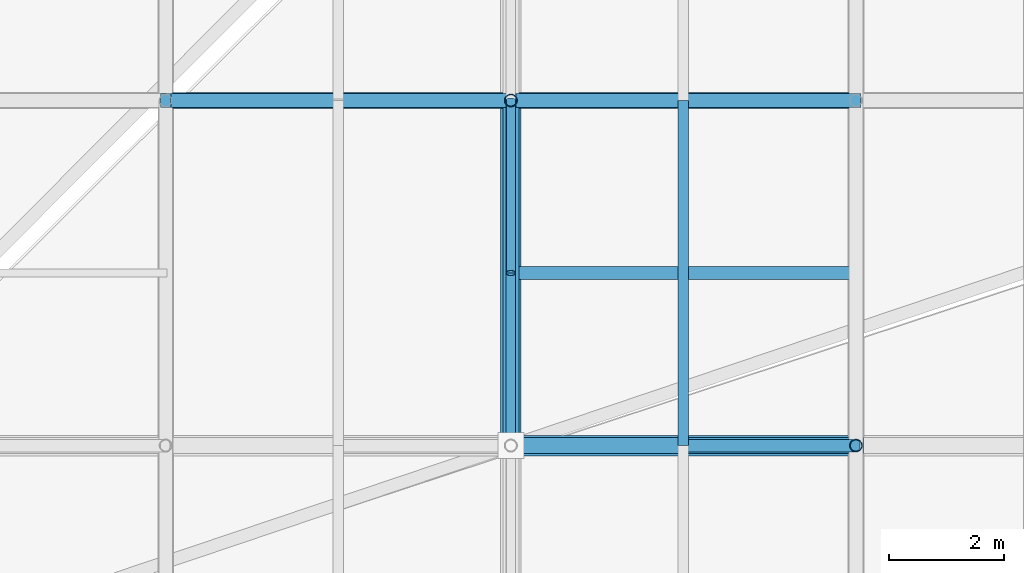
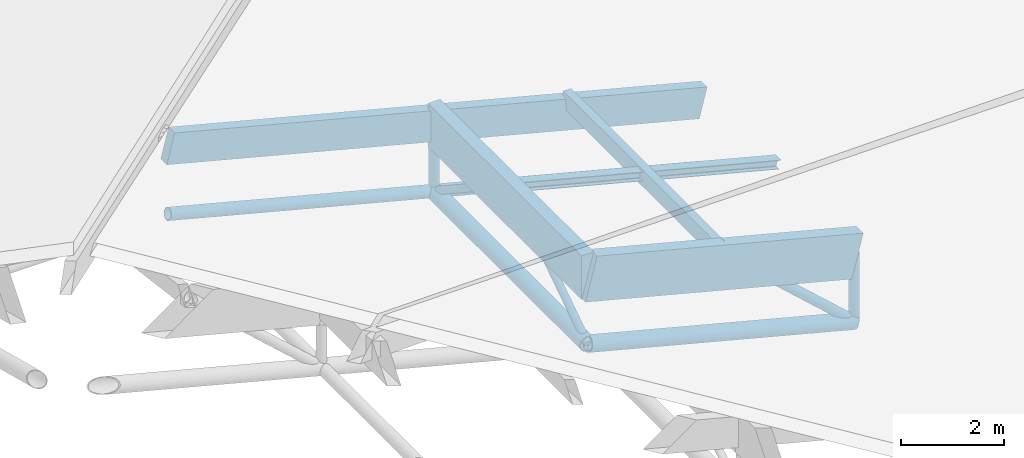
# One storey, part 41 of 80: 15 members.
"""IFC4 building model written with IfcOpenShell, lengths in metres."""

from ifc_helpers import new_model, si_unit, direction, frame, origin, origin_2d, place, context, subcontext, project, spatial, rectangle, hollow_circle, i_section, extrude, material, material_profile, profile_set, type_object, element, save


model = new_model("IFC4")

# Units and contexts
model_context = context("Model", 3, precision=1e-05, world=origin(), true_north=direction((0.0, 1.0)))
body_context = subcontext(model_context, "Body", "Model", "MODEL_VIEW")
ifc_project = project(units=[si_unit("LENGTHUNIT", "METRE"), si_unit("AREAUNIT", "SQUARE_METRE"), si_unit("VOLUMEUNIT", "CUBIC_METRE"), si_unit("PLANEANGLEUNIT", "RADIAN"), si_unit("MASSUNIT", "GRAM", prefix="KILO"), si_unit("THERMODYNAMICTEMPERATUREUNIT", "KELVIN"), si_unit("POWERUNIT", "WATT")], contexts=[model_context])

# Site, building, storey
site_placement = place(None, origin())
site = spatial("IfcSite", under=ifc_project, at=site_placement, CompositionType="ELEMENT")
building_placement = place(site_placement, origin())
building = spatial("IfcBuilding", under=site, at=building_placement, Name="Solmara Park Aquatics Centre", CompositionType="ELEMENT")
storey_placement = place(building_placement, frame((0.0, 0.0, 22.800048828125)))
storey = spatial("IfcBuildingStorey", under=building, at=storey_placement, Name="RF", CompositionType="ELEMENT", Elevation=22.800048828125)

# Members
ifc_material_1 = material(Name="Structural Steel S355", Category="steel")
ifc_material_profile_1 = material_profile(ifc_material_1, hollow_circle(Radius=0.084228515625, WallThickness=0.008056640625, at=origin_2d()), Name="CHS 168.3x8")
ifc_profile_set_1 = profile_set([ifc_material_profile_1], Name="Structural Steel S355")
member_type_1 = type_object("IfcMemberType", Name="STR-BRC-CHS168", PredefinedType="BRACE", material=ifc_profile_set_1)
for number, where, z_axis, x_axis, name in (
    (1, (84.60009765625, 48.60009765625, -8.0380859375), (0.0, 0.834611904619, 0.550838423377), (-1.0, 0.0, 0.0), "Roof Truss Web Diagonal Y 2054"),
    (2, (84.60009765625, 54.60009765625, -8.0380859375), (0.0, -0.834611904619, 0.550838423377), (1.0, 0.0, 0.0), "Roof Truss Web Diagonal Y 2055"),
):
    element("IfcMember", number, at=place(storey_placement, frame(where, z_axis=z_axis, x_axis=x_axis)), inside=storey, type_object=member_type_1, Name=name, PredefinedType="BRACE", context=body_context, shape_type="SweptSolid", body=[
        extrude(hollow_circle(Radius=0.084228515625, WallThickness=0.008056640625, at=origin_2d()), origin(), (0.0, 0.0, 1.0), 3.594482421875),
    ])
ifc_material_profile_2 = material_profile(ifc_material_1, hollow_circle(Radius=0.109619140625, WallThickness=0.010009765625, at=origin_2d()), Name="CHS 219.1x10")
ifc_profile_set_2 = profile_set([ifc_material_profile_2], Name="Structural Steel S355")
member_type_2 = type_object("IfcMemberType", Name="STR-BRC-CHS219", PredefinedType="BRACE", material=ifc_profile_set_2)
member_1_placement = place(storey_placement, frame((90.60009765625, 48.60009765625, -9.58984375), z_axis=(-0.741347083846, 0.0, 0.671121822974), x_axis=(0.0, -1.0, 0.0)))
element("IfcMember", 3, at=member_1_placement, inside=storey, type_object=member_type_2, Name="Roof Truss Web Diagonal X 1759", PredefinedType="BRACE", context=body_context, shape_type="SweptSolid", body=[
    extrude(hollow_circle(Radius=0.109619140625, WallThickness=0.010009765625, at=origin_2d()), origin(), (0.0, 0.0, 1.0), 4.046630859375),
])
ifc_material_profile_3 = material_profile(ifc_material_1, hollow_circle(Radius=0.136474609375, WallThickness=0.012451171875, at=origin_2d()), Name="CHS 273x12.5")
ifc_profile_set_3 = profile_set([ifc_material_profile_3], Name="Structural Steel S355")
member_type_3 = type_object("IfcMemberType", Name="STR-CHD-CHS273", PredefinedType="CHORD", material=ifc_profile_set_3)
for number, where, z_axis, x_axis, name in (
    (4, (78.60009765625, 54.60009765625, -6.486328125), (0.968145594442, 0.0, -0.250387914969), (0.0, 1.0, 0.0), "Steel Roof Truss Bottom Chord X 0352"),
    (5, (84.60009765625, 54.60009765625, -8.0380859375), (0.968145594442, 0.0, -0.250387914969), (0.0, 1.0, 0.0), "Steel Roof Truss Bottom Chord X 0354"),
):
    element("IfcMember", number, at=place(storey_placement, frame(where, z_axis=z_axis, x_axis=x_axis)), inside=storey, type_object=member_type_3, Name=name, PredefinedType="CHORD", context=body_context, shape_type="SweptSolid", body=[
        extrude(hollow_circle(Radius=0.136474609375, WallThickness=0.012451171875, at=origin_2d()), origin(), (0.0, 0.0, 1.0), 6.197509765625),
    ])
ifc_material_profile_4 = material_profile(ifc_material_1, hollow_circle(Radius=0.177734375, WallThickness=0.01611328125, at=origin_2d()), Name="CHS 355.6x16")
ifc_profile_set_4 = profile_set([ifc_material_profile_4], Name="Structural Steel S355")
member_type_4 = type_object("IfcMemberType", Name="STR-CHD-CHS355", PredefinedType="CHORD", material=ifc_profile_set_4)
member_2_placement = place(storey_placement, frame((84.60009765625, 48.60009765625, -8.0380859375), z_axis=(0.968145594442, 0.0, -0.250387914969), x_axis=(0.0, 1.0, 0.0)))
element("IfcMember", 6, at=member_2_placement, inside=storey, type_object=member_type_4, Name="Steel Roof Truss Bottom Chord X 0318", PredefinedType="CHORD", context=body_context, shape_type="SweptSolid", body=[
    extrude(hollow_circle(Radius=0.177734375, WallThickness=0.01611328125, at=origin_2d()), origin(), (0.0, 0.0, 1.0), 6.197509765625),
])
member_3_placement = place(storey_placement, frame((84.60009765625, 48.60009765625, -8.0380859375), z_axis=(0.0, 1.0, 0.0), x_axis=(-1.0, 0.0, 0.0)))
element("IfcMember", 7, at=member_3_placement, inside=storey, type_object=member_type_4, Name="Steel Roof Truss Bottom Chord Y 0950", PredefinedType="CHORD", context=body_context, shape_type="SweptSolid", body=[
    extrude(hollow_circle(Radius=0.177734375, WallThickness=0.01611328125, at=origin_2d()), origin(), (0.0, 0.0, 1.0), 6.0),
])
ifc_material_2 = material(Name="Glulam Timber GL28h", Category="wood")
ifc_material_profile_5 = material_profile(ifc_material_2, rectangle(XDim=0.239990234375, YDim=0.719970703125, at=origin_2d()), Name="GL28h 240x720")
ifc_profile_set_5 = profile_set([ifc_material_profile_5], Name="Glulam Timber GL28h")
member_type_5 = type_object("IfcMemberType", Name="STR-CHD-GL240x720", PredefinedType="CHORD", material=ifc_profile_set_5)
member_4_placement = place(storey_placement, frame((78.60009765625, 54.60009765625, -4.866455078125), z_axis=(0.968155143395, 0.0, -0.250350990246), x_axis=(0.0, 1.0, 0.0)))
element("IfcMember", 8, at=member_4_placement, inside=storey, type_object=member_type_5, Name="Glulam Roof Truss Top Chord X 0351", PredefinedType="CHORD", context=body_context, shape_type="SweptSolid", body=[
    extrude(rectangle(XDim=0.239990234375, YDim=0.719970703125, at=origin_2d()), origin(), (0.0, 0.0, 1.0), 6.197265625),
])
member_5_placement = place(storey_placement, frame((84.60009765625, 54.60009765625, -6.41796875), z_axis=(0.968145594442, 0.0, -0.250387914969), x_axis=(0.0, 1.0, 0.0)))
element("IfcMember", 9, at=member_5_placement, inside=storey, type_object=member_type_5, Name="Glulam Roof Truss Top Chord X 0353", PredefinedType="CHORD", context=body_context, shape_type="SweptSolid", body=[
    extrude(rectangle(XDim=0.239990234375, YDim=0.719970703125, at=origin_2d()), origin(), (0.0, 0.0, 1.0), 6.197509765625),
])
ifc_material_profile_6 = material_profile(ifc_material_2, rectangle(XDim=0.280029296875, YDim=1.0400390625, at=origin_2d()), Name="GL28h 280x1040")
ifc_profile_set_6 = profile_set([ifc_material_profile_6], Name="Glulam Timber GL28h")
member_type_6 = type_object("IfcMemberType", Name="STR-CHD-GL280x1040", PredefinedType="CHORD", material=ifc_profile_set_6)
member_6_placement = place(storey_placement, frame((84.60009765625, 48.60009765625, -6.41796875), z_axis=(0.968145594442, 0.0, -0.250387914969), x_axis=(0.0, 1.0, 0.0)))
element("IfcMember", 10, at=member_6_placement, inside=storey, type_object=member_type_6, Name="Glulam Roof Truss Top Chord X 0317", PredefinedType="CHORD", context=body_context, shape_type="SweptSolid", body=[
    extrude(rectangle(XDim=0.280029296875, YDim=1.0400390625, at=origin_2d()), origin(), (0.0, 0.0, 1.0), 6.197509765625),
])
member_7_placement = place(storey_placement, frame((84.60009765625, 48.60009765625, -6.41796875), z_axis=(0.0, 1.0, 0.0), x_axis=(-1.0, 0.0, 0.0)))
element("IfcMember", 11, at=member_7_placement, inside=storey, type_object=member_type_6, Name="Glulam Roof Truss Top Chord Y 0949", PredefinedType="CHORD", context=body_context, shape_type="SweptSolid", body=[
    extrude(rectangle(XDim=0.280029296875, YDim=1.0400390625, at=origin_2d()), origin(), (0.0, 0.0, 1.0), 6.0),
])
ifc_material_profile_7 = material_profile(ifc_material_2, rectangle(XDim=0.179931640625, YDim=0.39990234375, at=origin_2d()), Name="GL28h 180x400")
ifc_profile_set_7 = profile_set([ifc_material_profile_7], Name="Glulam Timber GL28h")
member_type_7 = type_object("IfcMemberType", Name="STR-PRL-GL180x400", PredefinedType="PURLIN", material=ifc_profile_set_7)
member_8_placement = place(storey_placement, frame((87.60009765625, 48.60009765625, -6.8740234375), z_axis=(0.0, 1.0, 0.0), x_axis=(-1.0, 0.0, 0.0)))
element("IfcMember", 12, at=member_8_placement, inside=storey, type_object=member_type_7, Name="Glulam Roof Purlin 1747", PredefinedType="PURLIN", context=body_context, shape_type="SweptSolid", body=[
    extrude(rectangle(XDim=0.179931640625, YDim=0.39990234375, at=origin_2d()), origin(), (0.0, 0.0, 1.0), 6.0),
])
ifc_material_profile_8 = material_profile(ifc_material_1, i_section(OverallWidth=0.219970703125, OverallDepth=0.2099609375, WebThickness=0.007080078125, FlangeThickness=0.010986328125, FilletRadius=0.01806640625, at=origin_2d()), Name="HEA 220")
ifc_profile_set_8 = profile_set([ifc_material_profile_8], Name="Structural Steel S355")
member_type_8 = type_object("IfcMemberType", Name="STR-PRL-HEA220", PredefinedType="PURLIN", material=ifc_profile_set_8)
member_9_placement = place(storey_placement, frame((84.60009765625, 51.60009765625, -6.078125), z_axis=(0.968155143395, 0.0, -0.250350990246), x_axis=(0.0, 1.0, 0.0)))
element("IfcMember", 13, at=member_9_placement, inside=storey, type_object=member_type_8, Name="Glulam Secondary Roof Purlin 2042", PredefinedType="PURLIN", context=body_context, shape_type="SweptSolid", body=[
    extrude(i_section(OverallWidth=0.219970703125, OverallDepth=0.2099609375, WebThickness=0.007080078125, FlangeThickness=0.010986328125, FilletRadius=0.01806640625, at=origin_2d()), origin(), (0.0, 0.0, 1.0), 6.197265625),
])
ifc_material_profile_9 = material_profile(ifc_material_1, hollow_circle(Radius=0.109619140625, WallThickness=0.010009765625, at=origin_2d()), Name="CHS 219.1x10")
ifc_profile_set_9 = profile_set([ifc_material_profile_9], Name="Structural Steel S355")
member_type_9 = type_object("IfcMemberType", Name="STR-PST-CHS219", PredefinedType="POST", material=ifc_profile_set_9)
for number, where, z_axis, x_axis, name in (
    (14, (84.60009765625, 54.60009765625, -8.0380859375), (0.0, 0.0, 1.0), (1.0, 0.0, 0.0), "Roof Truss Web Post 1285"),
    (15, (90.60009765625, 48.60009765625, -9.58984375), (0.0, 0.0, 1.0), (1.0, 0.0, 0.0), "Roof Truss Web Post 1299"),
):
    element("IfcMember", number, at=place(storey_placement, frame(where, z_axis=z_axis, x_axis=x_axis)), inside=storey, type_object=member_type_9, Name=name, PredefinedType="POST", context=body_context, shape_type="SweptSolid", body=[
        extrude(hollow_circle(Radius=0.109619140625, WallThickness=0.010009765625, at=origin_2d()), origin(), (0.0, 0.0, 1.0), 1.6201171875),
    ])

save(model, "model.ifc")
